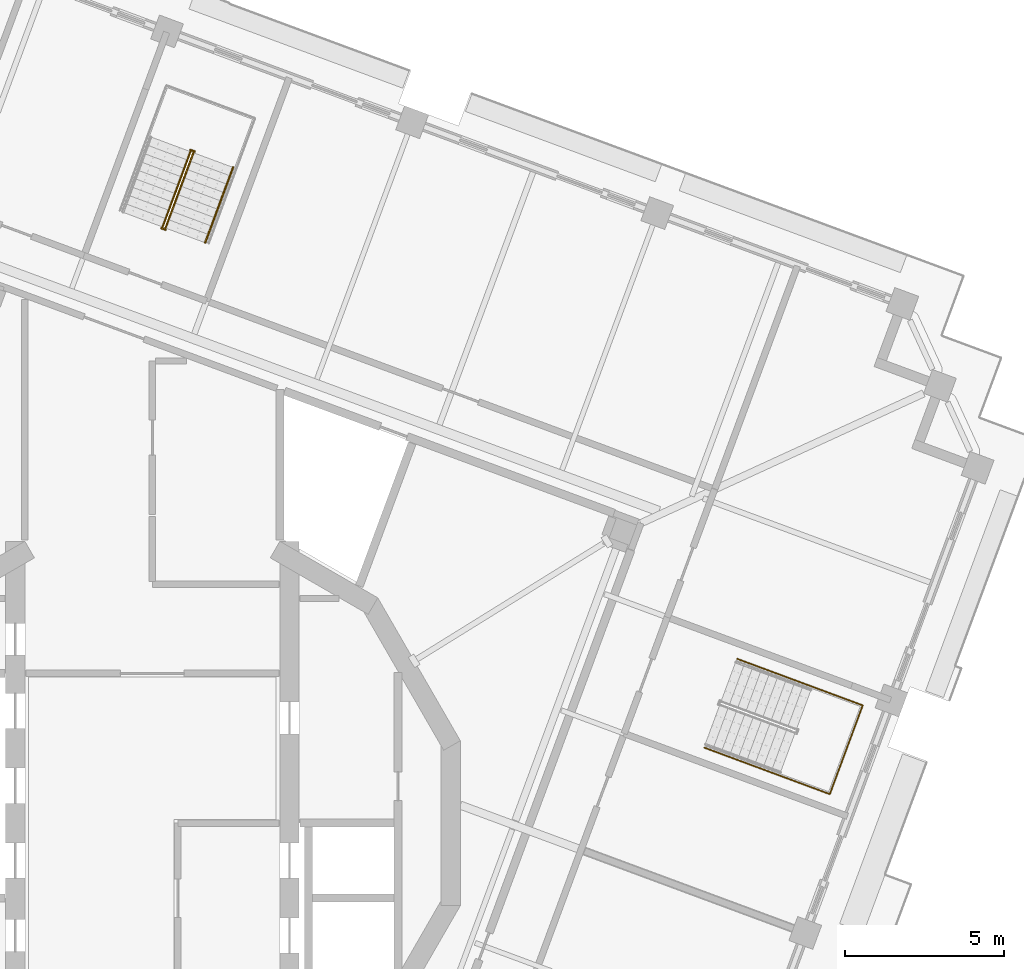
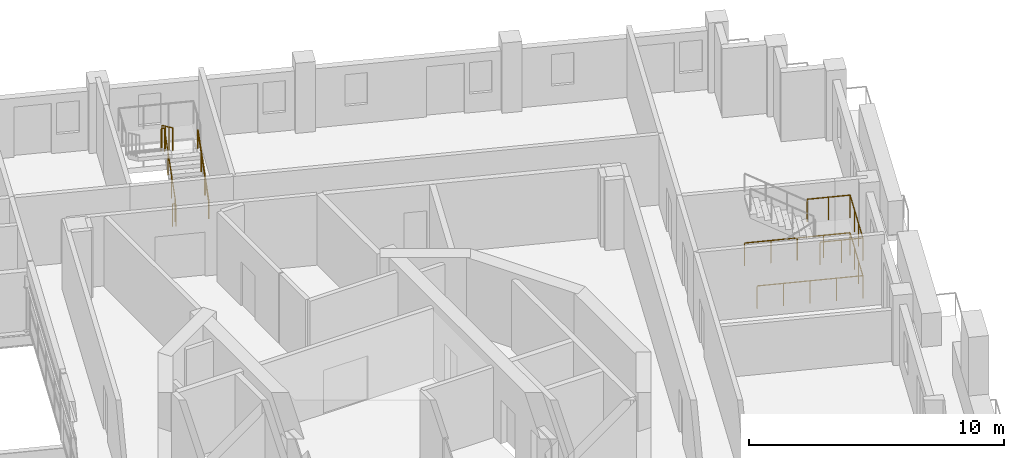
# One storey, part 18 of 20: 6 railings.
"""IFC4 building model written with IfcOpenShell, lengths in metres."""

from ifc_helpers import new_model, si_unit, direction, frame, origin, origin_2d, place, context, subcontext, project, spatial, circle, extrude, material, type_object, element, save


model = new_model("IFC4")

# Units and contexts
model_context = context("Model", 3, precision=1e-05, world=origin(), true_north=direction((0.0, 1.0)))
body_context = subcontext(model_context, "Body", "Model", "MODEL_VIEW")
ifc_project = project(units=[si_unit("LENGTHUNIT", "METRE"), si_unit("AREAUNIT", "SQUARE_METRE"), si_unit("VOLUMEUNIT", "CUBIC_METRE"), si_unit("PLANEANGLEUNIT", "RADIAN"), si_unit("MASSUNIT", "GRAM", prefix="KILO")], contexts=[model_context])

# Site, building, storey
site_placement = place(None, origin())
site = spatial("IfcSite", under=ifc_project, at=site_placement, CompositionType="ELEMENT")
building_placement = place(site_placement, origin())
building = spatial("IfcBuilding", under=site, at=building_placement, Name="Cantera Rosa Tower", CompositionType="ELEMENT")
storey_placement = place(building_placement, frame((0.0, 0.0, 309.699951171875)))
storey = spatial("IfcBuildingStorey", under=building, at=storey_placement, Name="L68", CompositionType="ELEMENT", Elevation=309.699951171875)

# Railings
ifc_material_1 = material(Name="Steel S355J2 (EN 10025-2)", Category="steel")
railing_type_1 = type_object("IfcRailingType", Name="STAIR GUARD 1100", PredefinedType="GUARDRAIL", material=ifc_material_1)
railing_1_placement = place(storey_placement, frame((17.31494140625, 2.37109375, 0.0)))
element("IfcRailing", 1, at=railing_1_placement, inside=storey, type_object=railing_type_1, Name="L68 ST-61 stair guard 4", PredefinedType="GUARDRAIL", context=body_context, shape_type="SweptSolid", body=[
    extrude(circle(Radius=0.02392578125, at=origin_2d()), frame((0.0, 0.0, 1.076171875), z_axis=(0.937682096729, -0.3474942956, 0.0), x_axis=(0.3474942956, 0.937682096729, 0.0)), (0.0, 0.0, 1.0), 4.197998046875),
    extrude(circle(Radius=0.02392578125, at=origin_2d()), frame((3.936279296875, -1.458740234375, 1.076171875), z_axis=(0.347472311651, 0.937690243436, 0.0), x_axis=(-0.937690243436, 0.347472311651, 0.0)), (0.0, 0.0, 1.0), 2.969970703125),
    extrude(circle(Radius=0.02392578125, at=origin_2d()), frame((4.96826171875, 1.326171875, 1.076171875), z_axis=(-0.937682096729, 0.3474942956, 0.0), x_axis=(-0.3474942956, -0.937682096729, 0.0)), (0.0, 0.0, 1.0), 4.197998046875),
    extrude(circle(Radius=0.02099609375, at=origin_2d()), origin(), (0.0, 0.0, 1.0), 1.052001953125),
    extrude(circle(Radius=0.02099609375, at=origin_2d()), frame((0.984130859375, -0.36474609375, 0.0)), (0.0, 0.0, 1.0), 1.052001953125),
    extrude(circle(Radius=0.02099609375, at=origin_2d()), frame((1.96826171875, -0.7294921875, 0.0)), (0.0, 0.0, 1.0), 1.052001953125),
    extrude(circle(Radius=0.02099609375, at=origin_2d()), frame((2.9521484375, -1.093994140625, 0.0)), (0.0, 0.0, 1.0), 1.052001953125),
    extrude(circle(Radius=0.02099609375, at=origin_2d()), frame((3.936279296875, -1.458740234375, 0.0)), (0.0, 0.0, 1.0), 1.052001953125),
    extrude(circle(Radius=0.02099609375, at=origin_2d()), frame((4.2802734375, -0.530517578125, 0.0)), (0.0, 0.0, 1.0), 1.052001953125),
    extrude(circle(Radius=0.02099609375, at=origin_2d()), frame((4.624267578125, 0.39794921875, 0.0)), (0.0, 0.0, 1.0), 1.052001953125),
    extrude(circle(Radius=0.02099609375, at=origin_2d()), frame((4.96826171875, 1.326171875, 0.0)), (0.0, 0.0, 1.0), 1.052001953125),
    extrude(circle(Radius=0.02099609375, at=origin_2d()), frame((3.984130859375, 1.69091796875, 0.0)), (0.0, 0.0, 1.0), 1.052001953125),
    extrude(circle(Radius=0.02099609375, at=origin_2d()), frame((3.0, 2.0556640625, 0.0)), (0.0, 0.0, 1.0), 1.052001953125),
    extrude(circle(Radius=0.02099609375, at=origin_2d()), frame((2.01611328125, 2.420166015625, 0.0)), (0.0, 0.0, 1.0), 1.052001953125),
    extrude(circle(Radius=0.02099609375, at=origin_2d()), frame((1.031982421875, 2.784912109375, 0.0)), (0.0, 0.0, 1.0), 1.052001953125),
])
railing_2_placement = place(storey_placement, frame((19.6552734375, 1.50390625, 1.800048828125)))
element("IfcRailing", 2, at=railing_2_placement, inside=storey, type_object=railing_type_1, Name="L68 ST-61 stair guard 5", PredefinedType="GUARDRAIL", context=body_context, shape_type="SweptSolid", body=[
    extrude(circle(Radius=0.02392578125, at=origin_2d()), frame((0.0, 0.0, 1.076171875), z_axis=(0.937660486946, -0.347552602091, 0.0), x_axis=(0.347552602091, 0.937660486946, 0.0)), (0.0, 0.0, 1.0), 1.7021484375),
    extrude(circle(Radius=0.02392578125, at=origin_2d()), frame((1.595947265625, -0.591552734375, 1.076171875), z_axis=(0.347472311651, 0.937690243436, 0.0), x_axis=(-0.937690243436, 0.347472311651, 0.0)), (0.0, 0.0, 1.0), 2.969970703125),
    extrude(circle(Radius=0.02392578125, at=origin_2d()), frame((2.6279296875, 2.193359375, 1.076171875), z_axis=(-0.937660486946, 0.347552602091, 0.0), x_axis=(-0.347552602091, -0.937660486946, 0.0)), (0.0, 0.0, 1.0), 1.7021484375),
    extrude(circle(Radius=0.02099609375, at=origin_2d()), origin(), (0.0, 0.0, 1.0), 1.052001953125),
    extrude(circle(Radius=0.02099609375, at=origin_2d()), frame((0.7978515625, -0.2958984375, 0.0)), (0.0, 0.0, 1.0), 1.052001953125),
    extrude(circle(Radius=0.02099609375, at=origin_2d()), frame((1.595947265625, -0.591552734375, 0.0)), (0.0, 0.0, 1.0), 1.052001953125),
    extrude(circle(Radius=0.02099609375, at=origin_2d()), frame((1.93994140625, 0.336669921875, 0.0)), (0.0, 0.0, 1.0), 1.052001953125),
    extrude(circle(Radius=0.02099609375, at=origin_2d()), frame((2.283935546875, 1.26513671875, 0.0)), (0.0, 0.0, 1.0), 1.052001953125),
    extrude(circle(Radius=0.02099609375, at=origin_2d()), frame((2.6279296875, 2.193359375, 0.0)), (0.0, 0.0, 1.0), 1.052001953125),
    extrude(circle(Radius=0.02099609375, at=origin_2d()), frame((1.830078125, 2.4892578125, 0.0)), (0.0, 0.0, 1.0), 1.052001953125),
    extrude(circle(Radius=0.02099609375, at=origin_2d()), frame((1.031982421875, 2.784912109375, 0.0)), (0.0, 0.0, 1.0), 1.052001953125),
])
railing_3_placement = place(storey_placement, frame((0.412109375, 18.670166015625, 0.179931640625)))
element("IfcRailing", 3, at=railing_3_placement, inside=storey, type_object=railing_type_1, Name="L68 ST-62 stair guard 1", PredefinedType="GUARDRAIL", context=body_context, shape_type="SweptSolid", body=[
    extrude(circle(Radius=0.02392578125, at=origin_2d()), frame((0.0, 0.0, 1.076171875), z_axis=(0.292306804437, 0.788747577403, 0.540771662738), x_axis=(-0.937679794265, 0.347500508527, 0.0)), (0.0, 0.0, 1.0), 2.995849609375),
    extrude(circle(Radius=0.02392578125, at=origin_2d()), frame((0.875732421875, 2.363037109375, 2.6962890625), z_axis=(0.740919573429, 0.671593765389, 0.0), x_axis=(-0.671593765389, 0.740919573429, 0.0)), (0.0, 0.0, 1.0), 0.056396484375),
    extrude(circle(Radius=0.02392578125, at=origin_2d()), frame((0.91748046875, 2.40087890625, 2.6962890625), z_axis=(-0.937925419525, 0.346837004095, 0.0), x_axis=(-0.346837004095, -0.937925419525, 0.0)), (0.0, 0.0, 1.0), 0.14990234375),
    extrude(circle(Radius=0.02099609375, at=origin_2d()), origin(), (0.0, 0.0, 1.0), 1.052001953125),
    extrude(circle(Radius=0.02099609375, at=origin_2d()), frame((0.2919921875, 0.78759765625, 0.5400390625)), (0.0, 0.0, 1.0), 1.052001953125),
    extrude(circle(Radius=0.02099609375, at=origin_2d()), frame((0.583740234375, 1.575439453125, 1.080078125)), (0.0, 0.0, 1.0), 1.052001953125),
    extrude(circle(Radius=0.02099609375, at=origin_2d()), frame((0.875732421875, 2.363037109375, 1.6201171875)), (0.0, 0.0, 1.0), 1.052001953125),
    extrude(circle(Radius=0.02099609375, at=origin_2d()), frame((0.91748046875, 2.40087890625, 1.6201171875)), (0.0, 0.0, 1.0), 1.052001953125),
    extrude(circle(Radius=0.02099609375, at=origin_2d()), frame((0.77685546875, 2.452880859375, 1.6201171875)), (0.0, 0.0, 1.0), 1.052001953125),
])
railing_4_placement = place(storey_placement, frame((1.196044921875, 21.067138671875, 1.97998046875)))
element("IfcRailing", 4, at=railing_4_placement, inside=storey, type_object=railing_type_1, Name="L68 ST-62 stair guard 2", PredefinedType="GUARDRAIL", context=body_context, shape_type="SweptSolid", body=[
    extrude(circle(Radius=0.02392578125, at=origin_2d()), frame((0.0, 0.0, 1.076171875), z_axis=(-0.292306804437, -0.788747577403, 0.540771662738), x_axis=(0.937679794265, -0.347500508527, 0.0)), (0.0, 0.0, 1.0), 2.995849609375),
    extrude(circle(Radius=0.02099609375, at=origin_2d()), origin(), (0.0, 0.0, 1.0), 1.052001953125),
    extrude(circle(Radius=0.02099609375, at=origin_2d()), frame((-0.2919921875, -0.78759765625, 0.5400390625)), (0.0, 0.0, 1.0), 1.052001953125),
    extrude(circle(Radius=0.02099609375, at=origin_2d()), frame((-0.583740234375, -1.575439453125, 1.080078125)), (0.0, 0.0, 1.0), 1.052001953125),
    extrude(circle(Radius=0.02099609375, at=origin_2d()), frame((-0.875732421875, -2.363037109375, 1.6201171875)), (0.0, 0.0, 1.0), 1.052001953125),
])
railing_5_placement = place(storey_placement, frame((0.419189453125, 18.6142578125, 0.0)))
element("IfcRailing", 5, at=railing_5_placement, inside=storey, type_object=railing_type_1, Name="L68 ST-62 stair guard 3", PredefinedType="GUARDRAIL", context=body_context, shape_type="SweptSolid", body=[
    extrude(circle(Radius=0.02392578125, at=origin_2d()), frame((0.0, 0.0, 1.076171875), z_axis=(-0.937925419525, 0.346837004095, 0.0), x_axis=(-0.346837004095, -0.937925419525, 0.0)), (0.0, 0.0, 1.0), 0.14990234375),
    extrude(circle(Radius=0.02099609375, at=origin_2d()), origin(), (0.0, 0.0, 1.0), 1.052001953125),
    extrude(circle(Radius=0.02099609375, at=origin_2d()), frame((-0.140625, 0.052001953125, 0.0)), (0.0, 0.0, 1.0), 1.052001953125),
])
ifc_material_2 = material(Name="Steel S355J2 (EN 10025-2)", Category="steel")
railing_type_2 = type_object("IfcRailingType", Name="STAIR HANDRAIL 900", PredefinedType="HANDRAIL", material=ifc_material_2)
railing_6_placement = place(storey_placement, frame((1.655517578125, 18.20947265625, 0.179931640625)))
element("IfcRailing", 6, at=railing_6_placement, inside=storey, type_object=railing_type_2, Name="L68 ST-62 stair handrail 1", PredefinedType="HANDRAIL", context=body_context, shape_type="SweptSolid", body=[
    extrude(circle(Radius=0.02392578125, at=origin_2d()), frame((0.0, 0.0, 0.8759765625), z_axis=(0.292325593449, 0.788716780987, 0.540806422673), x_axis=(-0.937668094043, 0.347532078253, 0.0)), (0.0, 0.0, 1.0), 2.995849609375),
    extrude(circle(Radius=0.02099609375, at=origin_2d()), origin(), (0.0, 0.0, 1.0), 0.851806640625),
    extrude(circle(Radius=0.02099609375, at=origin_2d()), frame((0.2919921875, 0.78759765625, 0.5400390625)), (0.0, 0.0, 1.0), 0.851806640625),
    extrude(circle(Radius=0.02099609375, at=origin_2d()), frame((0.583740234375, 1.5751953125, 1.080078125)), (0.0, 0.0, 1.0), 0.851806640625),
    extrude(circle(Radius=0.02099609375, at=origin_2d()), frame((0.875732421875, 2.36279296875, 1.6201171875)), (0.0, 0.0, 1.0), 0.851806640625),
])

save(model, "model.ifc")
